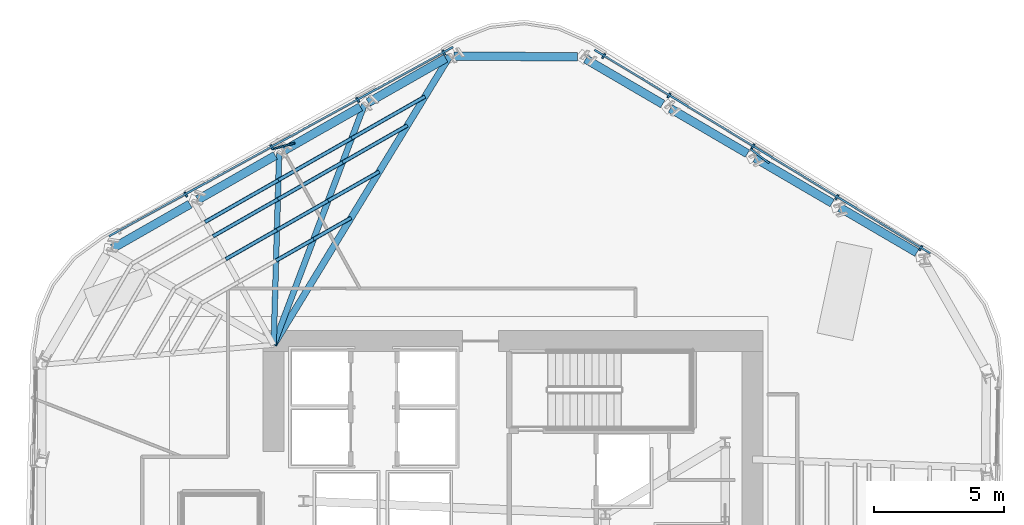
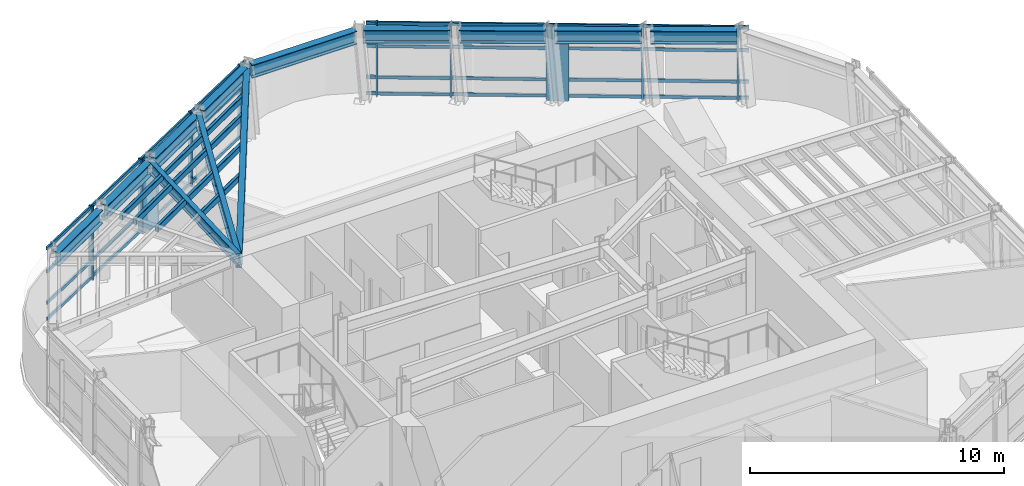
# One storey, part 5 of 14: 30 members, 12 beams, 2 elements without a shape of their own.
"""IFC4 building model written with IfcOpenShell, lengths in metres."""

from ifc_helpers import new_model, si_unit, direction, frame, origin, origin_2d, place, context, subcontext, project, spatial, rectangle, hollow_rectangle, i_section, extrude, material, layer, layer_set, material_profile, profile_set, type_object, element, aggregate, save


model = new_model("IFC4")

# Units and contexts
model_context = context("Model", 3, precision=1e-05, world=origin(), true_north=direction((0.0, 1.0)))
body_context = subcontext(model_context, "Body", "Model", "MODEL_VIEW")
ifc_project = project(units=[si_unit("LENGTHUNIT", "METRE"), si_unit("AREAUNIT", "SQUARE_METRE"), si_unit("VOLUMEUNIT", "CUBIC_METRE"), si_unit("PLANEANGLEUNIT", "RADIAN"), si_unit("MASSUNIT", "GRAM", prefix="KILO")], contexts=[model_context])

# Site, building, storey
site_placement = place(None, origin())
site = spatial("IfcSite", under=ifc_project, at=site_placement, CompositionType="ELEMENT")
building_placement = place(site_placement, origin())
building = spatial("IfcBuilding", under=site, at=building_placement, Name="Valkerne Bourse Tower", CompositionType="ELEMENT")
storey_placement = place(building_placement, frame((0.0, 0.0, 147.60009765625)))
storey = spatial("IfcBuildingStorey", under=building, at=storey_placement, Name="L37", CompositionType="ELEMENT", Elevation=147.60009765625)

# Beams
ifc_material_1 = material(Name="Steel ASTM A992", Category="steel")
ifc_material_profile_1 = material_profile(ifc_material_1, i_section(OverallWidth=0.2138671875, OverallDepth=0.548583984375, WebThickness=0.0146484375, FlangeThickness=0.023681640625, FilletRadius=0.017822265625, at=origin_2d()), Name="W21X93")
ifc_profile_set_1 = profile_set([ifc_material_profile_1], Name="Steel ASTM A992")
beam_type_1 = type_object("IfcBeamType", Name="BM-W21X93", PredefinedType="BEAM", material=ifc_profile_set_1)
beam_1_placement = place(storey_placement, frame((37.810791015625, 42.759765625, 3.3056640625), z_axis=(-0.028615623704, -0.99959048919, 0.0), x_axis=(0.99959048919, -0.028615623704, 0.0)))
element("IfcBeam", 1, at=beam_1_placement, inside=storey, type_object=beam_type_1, Name="L37 Radial Composite Floor Beam 07", PredefinedType="BEAM", context=body_context, shape_type="SweptSolid", body=[
    extrude(i_section(OverallWidth=0.2138671875, OverallDepth=0.548583984375, WebThickness=0.0146484375, FlangeThickness=0.023681640625, FilletRadius=0.017822265625, at=origin_2d()), origin(), (0.0, 0.0, 1.0), 7.36279296875),
])
ifc_material_profile_2 = material_profile(ifc_material_1, i_section(OverallWidth=0.32763671875, OverallDepth=0.62744140625, WebThickness=0.0166015625, FlangeThickness=0.027587890625, FilletRadius=0.020263671875, at=origin_2d()), Name="W24X146")
ifc_profile_set_2 = profile_set([ifc_material_profile_2], Name="Steel ASTM A992")
beam_type_2 = type_object("IfcBeamType", Name="BM-W24X146", PredefinedType="SPANDREL", material=ifc_profile_set_2)
for number, where, z_axis, x_axis, name in (
    (2, (62.318603515625, 38.9453125, 3.26611328125), (-0.863363087233, 0.504583174118, 0.0), (-0.504583174118, -0.863363087233, 0.0), "L37 Hexagonal Spandrel Ring Beam 00"),
    (3, (59.062744140625, 40.847900390625, 3.26611328125), (-0.863363087233, 0.504583174118, 0.0), (-0.504583174118, -0.863363087233, 0.0), "L37 Hexagonal Spandrel Ring Beam 01"),
    (4, (55.806884765625, 42.75048828125, 3.26611328125), (-0.863363087233, 0.504583174118, 0.0), (-0.504583174118, -0.863363087233, 0.0), "L37 Hexagonal Spandrel Ring Beam 02"),
):
    element("IfcBeam", number, at=place(storey_placement, frame(where, z_axis=z_axis, x_axis=x_axis)), inside=storey, type_object=beam_type_2, Name=name, PredefinedType="SPANDREL", context=body_context, shape_type="SweptSolid", body=[
        extrude(i_section(OverallWidth=0.32763671875, OverallDepth=0.62744140625, WebThickness=0.0166015625, FlangeThickness=0.027587890625, FilletRadius=0.020263671875, at=origin_2d()), origin(), (0.0, 0.0, 1.0), 3.430908203125),
    ])
beam_2_placement = place(storey_placement, frame((52.551025390625, 44.6533203125, 3.26611328125), z_axis=(-0.863425083715, 0.504477080562, 0.0), x_axis=(-0.504477080562, -0.863425083715, 0.0)))
element("IfcBeam", 5, at=beam_2_placement, inside=storey, type_object=beam_type_2, Name="L37 Hexagonal Spandrel Ring Beam 03", PredefinedType="SPANDREL", context=body_context, shape_type="SweptSolid", body=[
    extrude(i_section(OverallWidth=0.32763671875, OverallDepth=0.62744140625, WebThickness=0.0166015625, FlangeThickness=0.027587890625, FilletRadius=0.020263671875, at=origin_2d()), origin(), (0.0, 0.0, 1.0), 3.4306640625),
])
beam_3_placement = place(storey_placement, frame((49.27197265625, 46.470703125, 3.26611328125), z_axis=(-0.999986199762, 0.005253597341, 0.0), x_axis=(-0.005253597341, -0.999986199762, 0.0)))
element("IfcBeam", 6, at=beam_3_placement, inside=storey, type_object=beam_type_2, Name="L37 Hexagonal Spandrel Ring Beam 04", PredefinedType="SPANDREL", context=body_context, shape_type="SweptSolid", body=[
    extrude(i_section(OverallWidth=0.32763671875, OverallDepth=0.62744140625, WebThickness=0.0166015625, FlangeThickness=0.027587890625, FilletRadius=0.020263671875, at=origin_2d()), origin(), (0.0, 0.0, 1.0), 4.739990234375),
])
for number, where, z_axis, x_axis, name in (
    (7, (44.21435546875, 46.412353515625, 3.26611328125), (-0.868623854331, -0.495472097789, 0.0), (0.495472097789, -0.868623854331, 0.0), "L37 Hexagonal Spandrel Ring Beam 05"),
    (8, (40.938720703125, 44.5439453125, 3.26611328125), (-0.868623854331, -0.495472097789, 0.0), (0.495472097789, -0.868623854331, 0.0), "L37 Hexagonal Spandrel Ring Beam 06"),
    (9, (37.6630859375, 42.675537109375, 3.26611328125), (-0.868623854331, -0.495472097789, 0.0), (0.495472097789, -0.868623854331, 0.0), "L37 Hexagonal Spandrel Ring Beam 07"),
    (10, (34.387451171875, 40.80712890625, 3.26611328125), (-0.868623854331, -0.495472097789, 0.0), (0.495472097789, -0.868623854331, 0.0), "L37 Hexagonal Spandrel Ring Beam 08"),
):
    element("IfcBeam", number, at=place(storey_placement, frame(where, z_axis=z_axis, x_axis=x_axis)), inside=storey, type_object=beam_type_2, Name=name, PredefinedType="SPANDREL", context=body_context, shape_type="SweptSolid", body=[
        extrude(i_section(OverallWidth=0.32763671875, OverallDepth=0.62744140625, WebThickness=0.0166015625, FlangeThickness=0.027587890625, FilletRadius=0.020263671875, at=origin_2d()), origin(), (0.0, 0.0, 1.0), 3.430908203125),
    ])
ifc_material_profile_3 = material_profile(ifc_material_1, i_section(OverallWidth=0.228271484375, OverallDepth=0.607177734375, WebThickness=0.01123046875, FlangeThickness=0.017333984375, FilletRadius=0.017822265625, at=origin_2d()), Name="W24X76")
ifc_profile_set_3 = profile_set([ifc_material_profile_3], Name="Steel ASTM A992")
beam_type_3 = type_object("IfcBeamType", Name="BM-W24X76", PredefinedType="JOIST", material=ifc_profile_set_3)
beam_4_placement = place(storey_placement, frame((41.08642578125, 44.628173828125, 3.2763671875), z_axis=(-0.353408750473, -0.935469002741, 0.0), x_axis=(0.935469002741, -0.353408750473, 0.0)))
element("IfcBeam", 11, at=beam_4_placement, inside=storey, type_object=beam_type_3, Name="L37 Radial Composite Floor Beam 06", PredefinedType="JOIST", context=body_context, shape_type="SweptSolid", body=[
    extrude(i_section(OverallWidth=0.228271484375, OverallDepth=0.607177734375, WebThickness=0.01123046875, FlangeThickness=0.017333984375, FilletRadius=0.017822265625, at=origin_2d()), origin(), (0.0, 0.0, 1.0), 9.86474609375),
])
ifc_material_profile_4 = material_profile(ifc_material_1, i_section(OverallWidth=0.255859375, OverallDepth=0.693359375, WebThickness=0.014404296875, FlangeThickness=0.023681640625, FilletRadius=0.02294921875, at=origin_2d()), Name="W27X114")
ifc_profile_set_4 = profile_set([ifc_material_profile_4], Name="Steel ASTM A992")
beam_type_4 = type_object("IfcBeamType", Name="BM-W27X114", PredefinedType="BEAM", material=ifc_profile_set_4)
beam_5_placement = place(storey_placement, frame((44.362060546875, 46.49658203125, 3.233154296875), z_axis=(-0.52036589131, -0.853943405128, 0.0), x_axis=(0.853943405128, -0.52036589131, 0.0)))
element("IfcBeam", 12, at=beam_5_placement, inside=storey, type_object=beam_type_4, Name="L37 Radial Composite Floor Beam 05", PredefinedType="BEAM", context=body_context, shape_type="SweptSolid", body=[
    extrude(i_section(OverallWidth=0.255859375, OverallDepth=0.693359375, WebThickness=0.014404296875, FlangeThickness=0.023681640625, FilletRadius=0.02294921875, at=origin_2d()), origin(), (0.0, 0.0, 1.0), 12.99462890625),
])

# Curtain wall, members
ifc_material_2 = material(Name="Aluminium AA 6063-T6", Category="aluminium")
ifc_layer = layer(ifc_material_2, 0.235107421875)
ifc_layer_set = layer_set([ifc_layer], Name="Aluminium AA 6063-T6")
curtain_wall_type = type_object("IfcCurtainWallType", Name="CW-03", PredefinedType="NOTDEFINED", material=ifc_layer_set)
curtain_wall_1_placement = place(storey_placement, origin())
curtain_wall_1 = element("IfcCurtainWall", 13, at=curtain_wall_1_placement, inside=storey, type_object=curtain_wall_type, Name="L37 Hexagonal Stick Curtain Wall Face 1", PredefinedType="NOTDEFINED")
ifc_material_profile_5 = material_profile(ifc_material_2, rectangle(XDim=0.074951171875, YDim=0.199951171875, at=origin_2d()), Name="CWM-75X200")
ifc_profile_set_5 = profile_set([ifc_material_profile_5], Name="Aluminium AA 6063-T6")
member_type_1 = type_object("IfcMemberType", Name="CW-MUL-220X75", PredefinedType="MULLION", material=ifc_profile_set_5)
member_1_placement = place(storey_placement, frame((62.466796875, 39.12060546875, 0.0), z_axis=(0.0, 0.0, 1.0), x_axis=(-0.855356297425, 0.518040157184, 0.0)))
member_1 = element("IfcMember", 14, at=member_1_placement, type_object=member_type_1, Name="CW-L37-F1 Jamb Mullion 00A", PredefinedType="MULLION", context=body_context, shape_type="SweptSolid", body=[
    extrude(rectangle(XDim=0.074951171875, YDim=0.199951171875, at=origin_2d()), origin(), (0.0, 0.0, 1.0), 3.579833984375),
])
member_2_placement = place(storey_placement, frame((59.2412109375, 41.073974609375, 0.0), z_axis=(0.0, 0.0, 1.0), x_axis=(-0.855363413851, 0.518028406794, 0.0)))
member_2 = element("IfcMember", 15, at=member_2_placement, type_object=member_type_1, Name="CW-L37-F1 Jamb Mullion 01A", PredefinedType="MULLION", context=body_context, shape_type="SweptSolid", body=[
    extrude(rectangle(XDim=0.074951171875, YDim=0.199951171875, at=origin_2d()), origin(), (0.0, 0.0, 1.0), 3.579833984375),
])
member_3_placement = place(storey_placement, frame((56.015625, 43.027587890625, 0.0), z_axis=(0.0, 0.0, 1.0), x_axis=(-0.855363413851, 0.518028406794, 0.0)))
member_3 = element("IfcMember", 16, at=member_3_placement, type_object=member_type_1, Name="CW-L37-F1 Jamb Mullion 02A", PredefinedType="MULLION", context=body_context, shape_type="SweptSolid", body=[
    extrude(rectangle(XDim=0.074951171875, YDim=0.199951171875, at=origin_2d()), origin(), (0.0, 0.0, 1.0), 3.579833984375),
])
member_4_placement = place(storey_placement, frame((52.7900390625, 44.98095703125, 0.0), z_axis=(0.0, 0.0, 1.0), x_axis=(-0.855375163968, 0.518009004619, 0.0)))
member_4 = element("IfcMember", 17, at=member_4_placement, type_object=member_type_1, Name="CW-L37-F1 Jamb Mullion 03A", PredefinedType="MULLION", context=body_context, shape_type="SweptSolid", body=[
    extrude(rectangle(XDim=0.074951171875, YDim=0.199951171875, at=origin_2d()), origin(), (0.0, 0.0, 1.0), 3.579833984375),
])
member_5_placement = place(storey_placement, frame((50.282958984375, 46.499267578125, 0.0), z_axis=(0.0, 0.0, 1.0), x_axis=(-0.855375163968, 0.518009004619, 0.0)))
member_5 = element("IfcMember", 18, at=member_5_placement, type_object=member_type_1, Name="CW-L37-F1 Jamb Mullion 03B", PredefinedType="MULLION", context=body_context, shape_type="SweptSolid", body=[
    extrude(rectangle(XDim=0.074951171875, YDim=0.199951171875, at=origin_2d()), origin(), (0.0, 0.0, 1.0), 3.579833984375),
])

curtain_wall_2_placement = place(storey_placement, origin())
curtain_wall_2 = element("IfcCurtainWall", 19, at=curtain_wall_2_placement, inside=storey, type_object=curtain_wall_type, Name="L37 Hexagonal Stick Curtain Wall Face 2", PredefinedType="NOTDEFINED")
member_6_placement = place(storey_placement, frame((44.13671875, 46.6279296875, 0.0), z_axis=(0.0, 0.0, 1.0), x_axis=(-0.876302677548, -0.481760954543, 0.0)))
member_6 = element("IfcMember", 20, at=member_6_placement, type_object=member_type_1, Name="CW-L37-F2 Jamb Mullion 00A", PredefinedType="MULLION", context=body_context, shape_type="SweptSolid", body=[
    extrude(rectangle(XDim=0.074951171875, YDim=0.199951171875, at=origin_2d()), origin(), (0.0, 0.0, 1.0), 3.579833984375),
])
member_7_placement = place(storey_placement, frame((40.832275390625, 44.811279296875, 0.0), z_axis=(0.0, 0.0, 1.0), x_axis=(-0.876308832094, -0.481749759516, 0.0)))
member_7 = element("IfcMember", 21, at=member_7_placement, type_object=member_type_1, Name="CW-L37-F2 Jamb Mullion 01A", PredefinedType="MULLION", context=body_context, shape_type="SweptSolid", body=[
    extrude(rectangle(XDim=0.074951171875, YDim=0.199951171875, at=origin_2d()), origin(), (0.0, 0.0, 1.0), 3.579833984375),
])
member_8_placement = place(storey_placement, frame((37.527587890625, 42.99462890625, 0.0), z_axis=(0.0, 0.0, 1.0), x_axis=(-0.876302677548, -0.481760954543, 0.0)))
member_8 = element("IfcMember", 22, at=member_8_placement, type_object=member_type_1, Name="CW-L37-F2 Jamb Mullion 02A", PredefinedType="MULLION", context=body_context, shape_type="SweptSolid", body=[
    extrude(rectangle(XDim=0.074951171875, YDim=0.199951171875, at=origin_2d()), origin(), (0.0, 0.0, 1.0), 3.579833984375),
])
member_9_placement = place(storey_placement, frame((34.22314453125, 41.177978515625, 0.0), z_axis=(0.0, 0.0, 1.0), x_axis=(-0.876308832094, -0.481749759516, 0.0)))
member_9 = element("IfcMember", 23, at=member_9_placement, type_object=member_type_1, Name="CW-L37-F2 Jamb Mullion 03A", PredefinedType="MULLION", context=body_context, shape_type="SweptSolid", body=[
    extrude(rectangle(XDim=0.074951171875, YDim=0.199951171875, at=origin_2d()), origin(), (0.0, 0.0, 1.0), 3.579833984375),
])

# Member
ifc_material_profile_6 = material_profile(ifc_material_2, rectangle(XDim=0.074951171875, YDim=0.14990234375, at=origin_2d()), Name="CWT-75X150")
ifc_profile_set_6 = profile_set([ifc_material_profile_6], Name="Aluminium AA 6063-T6")
member_type_2 = type_object("IfcMemberType", Name="CW-TRN-180X65", PredefinedType="USERDEFINED", material=ifc_profile_set_6)
member_10_placement = place(storey_placement, frame((62.836181640625, 38.919921875, 0.119873046875), z_axis=(-0.855359102383, 0.51803552578, 0.0), x_axis=(-0.51803552578, -0.855359102383, 0.0)))
member_10 = element("IfcMember", 24, at=member_10_placement, type_object=member_type_2, Name="CW-L37-F1 Continuous Face Transom 1", ObjectType="TRANSOM", PredefinedType="USERDEFINED", context=body_context, shape_type="SweptSolid", body=[
    extrude(rectangle(XDim=0.074951171875, YDim=0.14990234375, at=origin_2d()), origin(), (0.0, 0.0, 1.0), 15.083740234375),
])

member_11_placement = place(storey_placement, frame((62.836181640625, 38.919921875, 0.89990234375), z_axis=(-0.855359102383, 0.51803552578, 0.0), x_axis=(-0.51803552578, -0.855359102383, 0.0)))
member_11 = element("IfcMember", 25, at=member_11_placement, type_object=member_type_2, Name="CW-L37-F1 Continuous Face Transom 2", ObjectType="TRANSOM", PredefinedType="USERDEFINED", context=body_context, shape_type="SweptSolid", body=[
    extrude(rectangle(XDim=0.074951171875, YDim=0.14990234375, at=origin_2d()), origin(), (0.0, 0.0, 1.0), 15.083740234375),
])

member_12_placement = place(storey_placement, frame((62.836181640625, 38.919921875, 2.39990234375), z_axis=(-0.855359102383, 0.51803552578, 0.0), x_axis=(-0.51803552578, -0.855359102383, 0.0)))
member_12 = element("IfcMember", 26, at=member_12_placement, type_object=member_type_2, Name="CW-L37-F1 Continuous Face Transom 3", ObjectType="TRANSOM", PredefinedType="USERDEFINED", context=body_context, shape_type="SweptSolid", body=[
    extrude(rectangle(XDim=0.074951171875, YDim=0.14990234375, at=origin_2d()), origin(), (0.0, 0.0, 1.0), 15.083740234375),
])

member_13_placement = place(storey_placement, frame((62.836181640625, 38.919921875, 3.5), z_axis=(-0.855359102383, 0.51803552578, 0.0), x_axis=(-0.51803552578, -0.855359102383, 0.0)))
member_13 = element("IfcMember", 27, at=member_13_placement, type_object=member_type_2, Name="CW-L37-F1 Continuous Face Transom 4", ObjectType="TRANSOM", PredefinedType="USERDEFINED", context=body_context, shape_type="SweptSolid", body=[
    extrude(rectangle(XDim=0.074951171875, YDim=0.14990234375, at=origin_2d()), origin(), (0.0, 0.0, 1.0), 15.083740234375),
])

aggregate(curtain_wall_1, [member_10, member_11, member_12, member_13, member_1, member_2, member_3, member_4, member_5])

member_14_placement = place(storey_placement, frame((44.4951171875, 46.847900390625, 0.119873046875), z_axis=(-0.876305425385, -0.481755956311, 0.0), x_axis=(0.481755956311, -0.876305425385, 0.0)))
member_14 = element("IfcMember", 28, at=member_14_placement, type_object=member_type_2, Name="CW-L37-F2 Continuous Face Transom 1", ObjectType="TRANSOM", PredefinedType="USERDEFINED", context=body_context, shape_type="SweptSolid", body=[
    extrude(rectangle(XDim=0.074951171875, YDim=0.14990234375, at=origin_2d()), origin(), (0.0, 0.0, 1.0), 15.083984375),
])

member_15_placement = place(storey_placement, frame((44.4951171875, 46.847900390625, 0.89990234375), z_axis=(-0.876305425385, -0.481755956311, 0.0), x_axis=(0.481755956311, -0.876305425385, 0.0)))
member_15 = element("IfcMember", 29, at=member_15_placement, type_object=member_type_2, Name="CW-L37-F2 Continuous Face Transom 2", ObjectType="TRANSOM", PredefinedType="USERDEFINED", context=body_context, shape_type="SweptSolid", body=[
    extrude(rectangle(XDim=0.074951171875, YDim=0.14990234375, at=origin_2d()), origin(), (0.0, 0.0, 1.0), 15.083984375),
])

member_16_placement = place(storey_placement, frame((44.4951171875, 46.847900390625, 2.39990234375), z_axis=(-0.876305425385, -0.481755956311, 0.0), x_axis=(0.481755956311, -0.876305425385, 0.0)))
member_16 = element("IfcMember", 30, at=member_16_placement, type_object=member_type_2, Name="CW-L37-F2 Continuous Face Transom 3", ObjectType="TRANSOM", PredefinedType="USERDEFINED", context=body_context, shape_type="SweptSolid", body=[
    extrude(rectangle(XDim=0.074951171875, YDim=0.14990234375, at=origin_2d()), origin(), (0.0, 0.0, 1.0), 15.083984375),
])

member_17_placement = place(storey_placement, frame((44.4951171875, 46.847900390625, 3.5), z_axis=(-0.876305425385, -0.481755956311, 0.0), x_axis=(0.481755956311, -0.876305425385, 0.0)))
member_17 = element("IfcMember", 31, at=member_17_placement, type_object=member_type_2, Name="CW-L37-F2 Continuous Face Transom 4", ObjectType="TRANSOM", PredefinedType="USERDEFINED", context=body_context, shape_type="SweptSolid", body=[
    extrude(rectangle(XDim=0.074951171875, YDim=0.14990234375, at=origin_2d()), origin(), (0.0, 0.0, 1.0), 15.083984375),
])

aggregate(curtain_wall_2, [member_14, member_15, member_16, member_17, member_6, member_7, member_8, member_9])

# Members
ifc_material_3 = material(Name="Bronze Anodised Aluminium AA 6063-T6", Category="aluminium")
ifc_material_profile_7 = material_profile(ifc_material_3, rectangle(XDim=0.070068359375, YDim=0.89990234375, at=origin_2d()), Name="FIN-70X900")
ifc_profile_set_7 = profile_set([ifc_material_profile_7], Name="Bronze Anodised Aluminium AA 6063-T6")
member_type_3 = type_object("IfcMemberType", Name="FIN-SOLAR-900", PredefinedType="USERDEFINED", material=ifc_profile_set_7)
for number, where, z_axis, x_axis, name in (
    (32, (56.281494140625, 42.656005859375, 0.00390625), (0.0, 0.0, 1.0), (0.601275087948, 0.799042094393, 0.0), "L37 Bronze Anodised Solar Fin F1-02"),
    (33, (37.982421875, 43.039306640625, 0.00390625), (0.0, 0.0, 1.0), (-0.256621476043, 0.966511985458, 0.0), "L37 Bronze Anodised Solar Fin F2-02"),
):
    element("IfcMember", number, at=place(storey_placement, frame(where, z_axis=z_axis, x_axis=x_axis)), inside=storey, type_object=member_type_3, Name=name, ObjectType="SOLAR_FIN", PredefinedType="USERDEFINED", context=body_context, shape_type="SweptSolid", body=[
        extrude(rectangle(XDim=0.070068359375, YDim=0.89990234375, at=origin_2d()), origin(), (0.0, 0.0, 1.0), 3.572021484375),
    ])
ifc_material_4 = material(Name="Steel ASTM A500 Grade C", Category="steel")
ifc_material_profile_8 = material_profile(ifc_material_4, hollow_rectangle(XDim=0.14990234375, YDim=0.300048828125, WallThickness=0.012451171875, OuterFilletRadius=0.02490234375, at=origin_2d()), Name="HSS300X150X12.5")
ifc_profile_set_8 = profile_set([ifc_material_profile_8], Name="Steel ASTM A500 Grade C")
member_type_4 = type_object("IfcMemberType", Name="MBR-HSS300X150X12.5", PredefinedType="PURLIN", material=ifc_profile_set_8)
for number, where, z_axis, x_axis, name in (
    (34, (40.5751953125, 40.282470703125, 3.419921875), (-0.868632258867, -0.495457363308, 0.0), (0.495457363308, -0.868632258867, 0.0), "L37 Secondary Composite Floor Purlin K-05"),
    (35, (39.134033203125, 39.46044921875, 3.419921875), (-0.868568926984, -0.495568379821, 0.0), (0.495568379821, -0.868568926984, 0.0), "L37 Secondary Composite Floor Purlin K-06"),
):
    element("IfcMember", number, at=place(storey_placement, frame(where, z_axis=z_axis, x_axis=x_axis)), inside=storey, type_object=member_type_4, Name=name, PredefinedType="PURLIN", context=body_context, shape_type="SweptSolid", body=[
        extrude(hollow_rectangle(XDim=0.14990234375, YDim=0.300048828125, WallThickness=0.012451171875, OuterFilletRadius=0.02490234375, at=origin_2d()), origin(), (0.0, 0.0, 1.0), 1.6591796875),
    ])
member_18_placement = place(storey_placement, frame((42.739013671875, 43.833251953125, 3.419921875), z_axis=(-0.868620358118, -0.495478227032, 0.0), x_axis=(0.495478227032, -0.868620358118, 0.0)))
element("IfcMember", 36, at=member_18_placement, inside=storey, type_object=member_type_4, Name="L37 Secondary Composite Floor Purlin O-05", PredefinedType="PURLIN", context=body_context, shape_type="SweptSolid", body=[
    extrude(hollow_rectangle(XDim=0.14990234375, YDim=0.300048828125, WallThickness=0.012451171875, OuterFilletRadius=0.02490234375, at=origin_2d()), origin(), (0.0, 0.0, 1.0), 2.86572265625),
])
for number, where, z_axis, x_axis, name in (
    (37, (40.249755859375, 42.413330078125, 3.419921875), (-0.868641270386, -0.495441564045, 0.0), (0.495441564045, -0.868641270386, 0.0), "L37 Secondary Composite Floor Purlin O-06"),
    (38, (37.76025390625, 40.993408203125, 3.419921875), (-0.868641270386, -0.495441564045, 0.0), (0.495441564045, -0.868641270386, 0.0), "L37 Secondary Composite Floor Purlin O-07"),
):
    element("IfcMember", number, at=place(storey_placement, frame(where, z_axis=z_axis, x_axis=x_axis)), inside=storey, type_object=member_type_4, Name=name, PredefinedType="PURLIN", context=body_context, shape_type="SweptSolid", body=[
        extrude(hollow_rectangle(XDim=0.14990234375, YDim=0.300048828125, WallThickness=0.012451171875, OuterFilletRadius=0.02490234375, at=origin_2d()), origin(), (0.0, 0.0, 1.0), 2.865966796875),
    ])
member_19_placement = place(storey_placement, frame((41.6572265625, 42.057861328125, 3.419921875), z_axis=(-0.868661185334, -0.495406646195, 0.0), x_axis=(0.495406646195, -0.868661185334, 0.0)))
element("IfcMember", 39, at=member_19_placement, inside=storey, type_object=member_type_4, Name="L37 Secondary Composite Floor Purlin Z-05", PredefinedType="PURLIN", context=body_context, shape_type="SweptSolid", body=[
    extrude(hollow_rectangle(XDim=0.14990234375, YDim=0.300048828125, WallThickness=0.012451171875, OuterFilletRadius=0.02490234375, at=origin_2d()), origin(), (0.0, 0.0, 1.0), 2.262451171875),
])
for number, where, z_axis, x_axis, name in (
    (40, (39.69189453125, 40.93701171875, 3.419921875), (-0.86861474672, -0.495488064216, 0.0), (0.495488064216, -0.86861474672, 0.0), "L37 Secondary Composite Floor Purlin Z-06"),
    (41, (37.7265625, 39.81591796875, 3.419921875), (-0.868641233957, -0.495441627913, 0.0), (0.495441627913, -0.868641233957, 0.0), "L37 Secondary Composite Floor Purlin Z-07"),
):
    element("IfcMember", number, at=place(storey_placement, frame(where, z_axis=z_axis, x_axis=x_axis)), inside=storey, type_object=member_type_4, Name=name, PredefinedType="PURLIN", context=body_context, shape_type="SweptSolid", body=[
        extrude(hollow_rectangle(XDim=0.14990234375, YDim=0.300048828125, WallThickness=0.012451171875, OuterFilletRadius=0.02490234375, at=origin_2d()), origin(), (0.0, 0.0, 1.0), 2.2626953125),
    ])
member_20_placement = place(storey_placement, frame((43.415283203125, 44.943115234375, 3.419921875), z_axis=(-0.868604265666, -0.495506437564, 0.0), x_axis=(0.495506437564, -0.868604265666, 0.0)))
element("IfcMember", 42, at=member_20_placement, inside=storey, type_object=member_type_4, Name="L37 Secondary Composite Floor Purlin T-05", PredefinedType="PURLIN", context=body_context, shape_type="SweptSolid", body=[
    extrude(hollow_rectangle(XDim=0.14990234375, YDim=0.300048828125, WallThickness=0.012451171875, OuterFilletRadius=0.02490234375, at=origin_2d()), origin(), (0.0, 0.0, 1.0), 3.242919921875),
])
member_21_placement = place(storey_placement, frame((40.598388671875, 43.336181640625, 3.419921875), z_axis=(-0.868655144722, -0.495417237838, 0.0), x_axis=(0.495417237838, -0.868655144722, 0.0)))
element("IfcMember", 43, at=member_21_placement, inside=storey, type_object=member_type_4, Name="L37 Secondary Composite Floor Purlin T-06", PredefinedType="PURLIN", context=body_context, shape_type="SweptSolid", body=[
    extrude(hollow_rectangle(XDim=0.14990234375, YDim=0.300048828125, WallThickness=0.012451171875, OuterFilletRadius=0.02490234375, at=origin_2d()), origin(), (0.0, 0.0, 1.0), 3.2431640625),
])
member_22_placement = place(storey_placement, frame((37.78125, 41.7294921875, 3.419921875), z_axis=(-0.868604265666, -0.495506437564, 0.0), x_axis=(0.495506437564, -0.868604265666, 0.0)))
element("IfcMember", 44, at=member_22_placement, inside=storey, type_object=member_type_4, Name="L37 Secondary Composite Floor Purlin T-07", PredefinedType="PURLIN", context=body_context, shape_type="SweptSolid", body=[
    extrude(hollow_rectangle(XDim=0.14990234375, YDim=0.300048828125, WallThickness=0.012451171875, OuterFilletRadius=0.02490234375, at=origin_2d()), origin(), (0.0, 0.0, 1.0), 3.242919921875),
])

save(model, "model.ifc")
